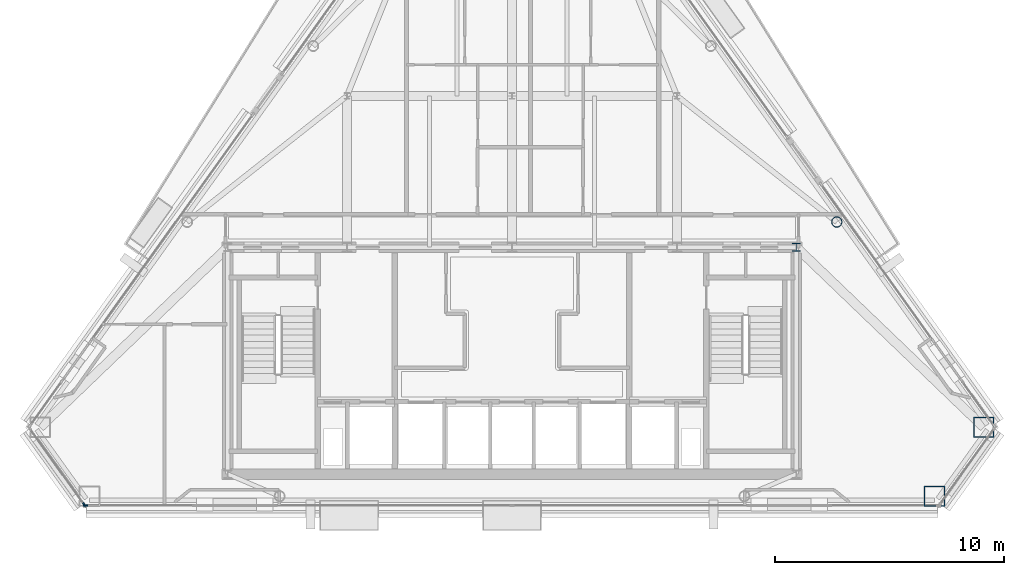
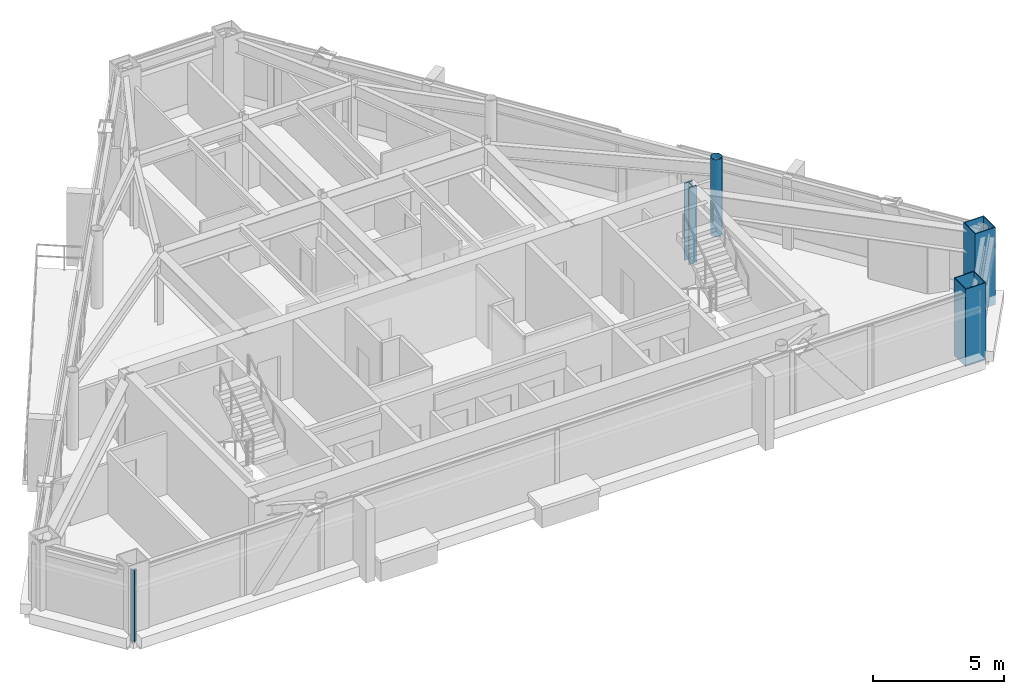
# One storey, part 3 of 12: 4 columns, 2 members, 2 elements without a shape of their own.
"""IFC4 building model written with IfcOpenShell, lengths in metres."""

from ifc_helpers import new_model, si_unit, direction, frame, origin, origin_2d, place, context, subcontext, project, spatial, rectangle, hollow_rectangle, hollow_circle, i_section, extrude, material, layer, layer_set, material_profile, profile_set, type_object, element, aggregate, save


model = new_model("IFC4")

# Units and contexts
model_context = context("Model", 3, precision=1e-05, world=origin(), true_north=direction((0.0, 1.0)))
body_context = subcontext(model_context, "Body", "Model", "MODEL_VIEW")
ifc_project = project(units=[si_unit("LENGTHUNIT", "METRE"), si_unit("AREAUNIT", "SQUARE_METRE"), si_unit("VOLUMEUNIT", "CUBIC_METRE"), si_unit("PLANEANGLEUNIT", "RADIAN"), si_unit("MASSUNIT", "GRAM", prefix="KILO")], contexts=[model_context])

# Site, building, storey
site_placement = place(None, origin())
site = spatial("IfcSite", under=ifc_project, at=site_placement, CompositionType="ELEMENT")
building_placement = place(site_placement, origin())
building = spatial("IfcBuilding", under=site, at=building_placement, Name="Talgorran Terracotta Tower", CompositionType="ELEMENT")
storey_placement = place(building_placement, frame((0.0, 0.0, 249.0)))
storey = spatial("IfcBuildingStorey", under=building, at=storey_placement, Name="L65", CompositionType="ELEMENT", Elevation=249.0)

# Columns
ifc_material_1 = material(Name="Steel S355 (300PLUS)", Category="steel")
ifc_material_profile_1 = material_profile(ifc_material_1, i_section(OverallWidth=0.35205078125, OverallDepth=0.35888671875, WebThickness=0.01806640625, FlangeThickness=0.02587890625, at=origin_2d()), Name="350WC197")
ifc_profile_set_1 = profile_set([ifc_material_profile_1], Name="Steel S355 (300PLUS)")
column_type_1 = type_object("IfcColumnType", Name="COL_350WC197", PredefinedType="COLUMN", material=ifc_profile_set_1)
column_1_placement = place(storey_placement, frame((12.39990234375, -4.199951171875, 0.0), z_axis=(0.0, 0.0, 1.0), x_axis=(1.0, 0.0, 0.0)))
element("IfcColumn", 1, at=column_1_placement, inside=storey, type_object=column_type_1, Name="L65 Core Boundary Column CC3", PredefinedType="COLUMN", context=body_context, shape_type="SweptSolid", body=[
    extrude(i_section(OverallWidth=0.35205078125, OverallDepth=0.35888671875, WebThickness=0.01806640625, FlangeThickness=0.02587890625, at=origin_2d()), origin(), (0.0, 0.0, 1.0), 3.60009765625),
])
ifc_material_2 = material(Name="Steel Grade 350 (350L0)", Category="steel")
ifc_material_profile_2 = material_profile(ifc_material_2, hollow_rectangle(XDim=0.89990234375, YDim=0.89990234375, WallThickness=0.0400390625, at=origin_2d()), Name="CFT900X900X40")
ifc_profile_set_2 = profile_set([ifc_material_profile_2], Name="Steel Grade 350 (350L0)")
column_type_2 = type_object("IfcColumnType", Name="COL_CFT_900", PredefinedType="COLUMN", material=ifc_profile_set_2)
for number, where, z_axis, x_axis, name in (
    (2, (18.43212890625, -15.063232421875, 0.0), (0.0, 0.0, 1.0), (1.0, 0.0, 0.0), "L65 Corner CFT Mega-Column MC3"),
    (3, (20.585205078125, -12.056640625, 0.0), (0.0, 0.0, 1.0), (1.0, 0.0, 0.0), "L65 Corner CFT Mega-Column MC4"),
):
    element("IfcColumn", number, at=place(storey_placement, frame(where, z_axis=z_axis, x_axis=x_axis)), inside=storey, type_object=column_type_2, Name=name, PredefinedType="COLUMN", context=body_context, shape_type="SweptSolid", body=[
        extrude(hollow_rectangle(XDim=0.89990234375, YDim=0.89990234375, WallThickness=0.0400390625, at=origin_2d()), origin(), (0.0, 0.0, 1.0), 3.60009765625),
    ])
ifc_material_3 = material(Name="Steel S350 (C350L0)", Category="steel")
ifc_material_profile_3 = material_profile(ifc_material_3, hollow_circle(Radius=0.228515625, WallThickness=0.01611328125, at=origin_2d()), Name="CHS457X16")
ifc_profile_set_3 = profile_set([ifc_material_profile_3], Name="Steel S350 (C350L0)")
column_type_3 = type_object("IfcColumnType", Name="COL_CHS_457", PredefinedType="COLUMN", material=ifc_profile_set_3)
column_2_placement = place(storey_placement, frame((14.170654296875, -3.09912109375, 0.0), z_axis=(0.0, 0.0, 1.0), x_axis=(1.0, 0.0, 0.0)))
element("IfcColumn", 4, at=column_2_placement, inside=storey, type_object=column_type_3, Name="L65 Facet Perimeter Column FC3", PredefinedType="COLUMN", context=body_context, shape_type="SweptSolid", body=[
    extrude(hollow_circle(Radius=0.228515625, WallThickness=0.01611328125, at=origin_2d()), origin(), (0.0, 0.0, 1.0), 3.60009765625),
])

# Curtain wall, member
ifc_material_4 = material(Name="High-Wind Unitised Glazing", Category="glass")
ifc_layer = layer(ifc_material_4, 0.2099609375, Name="CW_SYS3_RES_HIGH")
ifc_layer_set = layer_set([ifc_layer], Name="High-Wind Unitised Glazing")
curtain_wall_type = type_object("IfcCurtainWallType", Name="CW_SYS3_RES_HIGH", PredefinedType="NOTDEFINED", material=ifc_layer_set)
curtain_wall_1_placement = place(storey_placement, origin())
curtain_wall_1 = element("IfcCurtainWall", 5, at=curtain_wall_1_placement, inside=storey, type_object=curtain_wall_type, Name="CW-L65-F0", PredefinedType="NOTDEFINED")
ifc_material_5 = material(Name="Architectural Aluminium 6063-T6", Category="aluminium")
ifc_material_profile_4 = material_profile(ifc_material_5, rectangle(XDim=0.070068359375, YDim=0.199951171875, at=origin_2d()), Name="CWM70X200")
ifc_profile_set_4 = profile_set([ifc_material_profile_4], Name="Architectural Aluminium 6063-T6")
member_type = type_object("IfcMemberType", Name="MUL_70X200", PredefinedType="MULLION", material=ifc_profile_set_4)
member_1_placement = place(storey_placement, frame((-18.657958984375, -15.434814453125, 0.0), z_axis=(0.0, 0.0, 1.0), x_axis=(0.813031401137, 0.582219838862, 0.0)))
member_1 = element("IfcMember", 6, at=member_1_placement, type_object=member_type, Name="CW-L65-0 mullion 2", PredefinedType="MULLION", context=body_context, shape_type="SweptSolid", body=[
    extrude(rectangle(XDim=0.070068359375, YDim=0.199951171875, at=origin_2d()), origin(), (0.0, 0.0, 1.0), 3.344970703125),
])
aggregate(curtain_wall_1, [member_1])

curtain_wall_2_placement = place(storey_placement, origin())
curtain_wall_2 = element("IfcCurtainWall", 7, at=curtain_wall_2_placement, inside=storey, type_object=curtain_wall_type, Name="CW-L65-F1", PredefinedType="NOTDEFINED")
member_2_placement = place(storey_placement, frame((-18.6025390625, -15.46337890625, 0.0), z_axis=(0.0, 0.0, 1.0), x_axis=(0.0, 1.0, 0.0)))
member_2 = element("IfcMember", 8, at=member_2_placement, type_object=member_type, Name="CW-L65-1 mullion 1", PredefinedType="MULLION", context=body_context, shape_type="SweptSolid", body=[
    extrude(rectangle(XDim=0.070068359375, YDim=0.199951171875, at=origin_2d()), origin(), (0.0, 0.0, 1.0), 3.344970703125),
])
aggregate(curtain_wall_2, [member_2])

save(model, "model.ifc")
